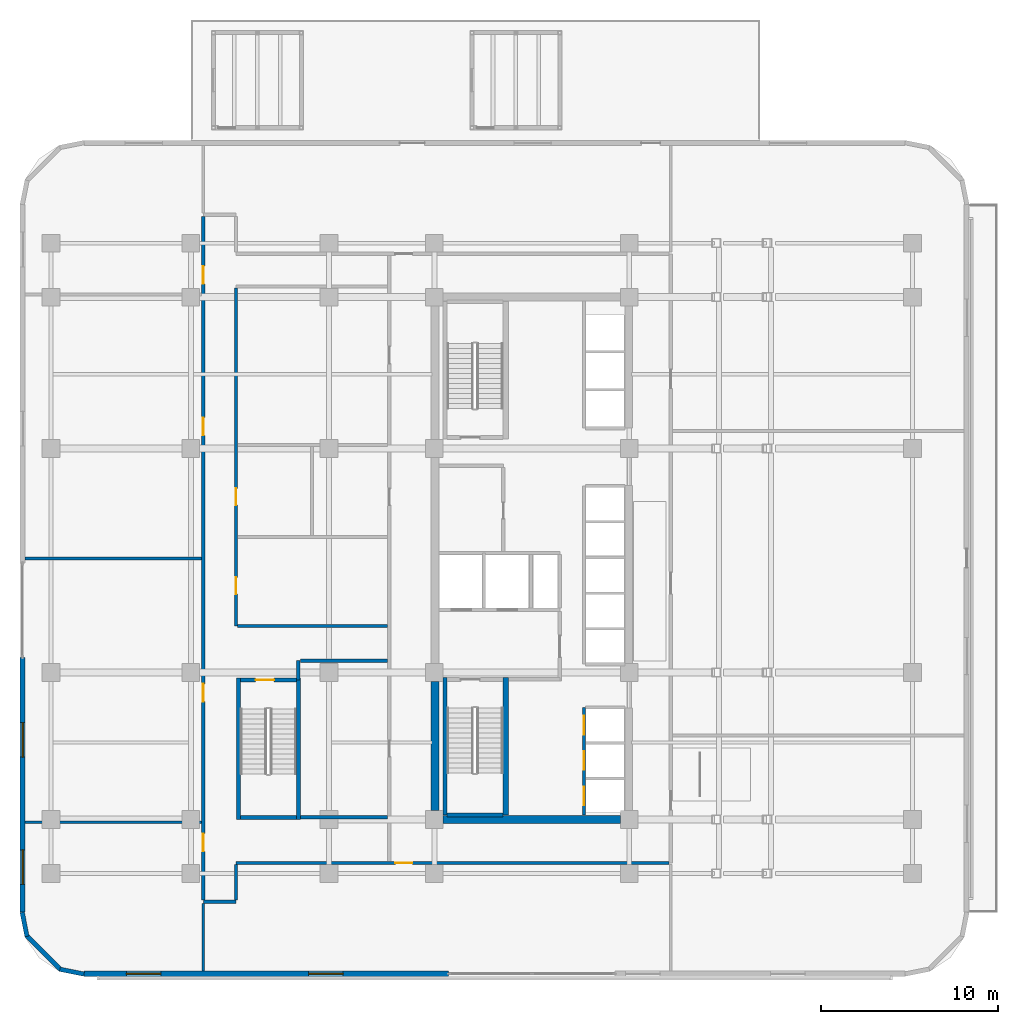
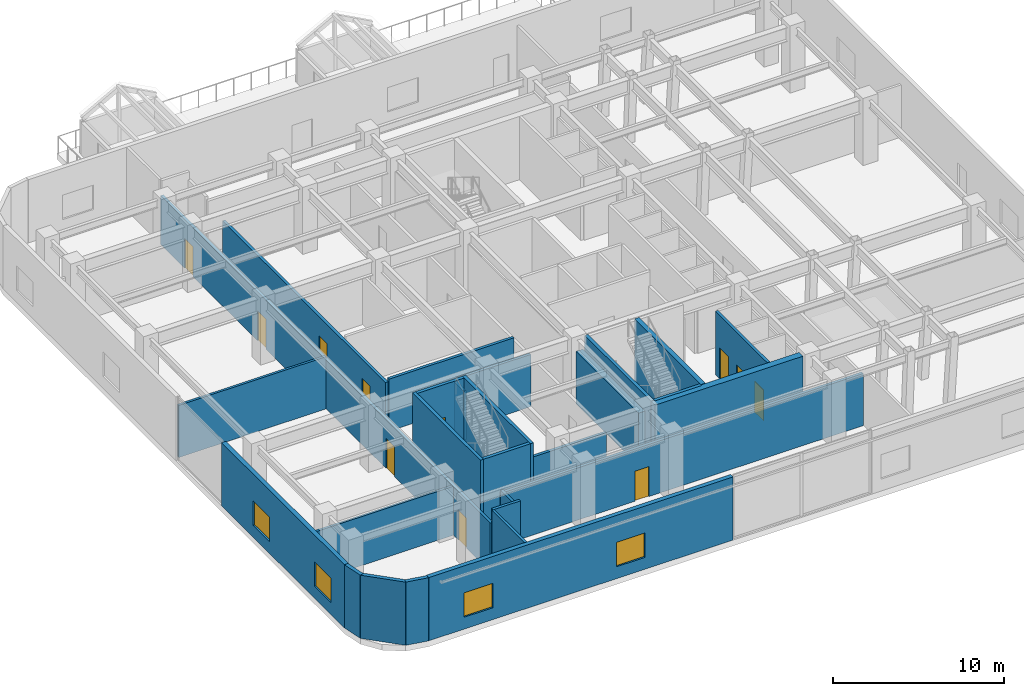
# One storey, part 8 of 18: 27 walls, 11 doors, 4 windows, 15 openings.
"""IFC4 building model written with IfcOpenShell, lengths in metres."""

from ifc_helpers import new_model, si_unit, direction, frame, frame_2d, origin, place, context, subcontext, project, spatial, rectangle, extrude, material, layer, layer_set, type_object, element, fill, save


model = new_model("IFC4")

# Units and contexts
model_context = context("Model", 3, precision=1e-05, world=origin(), true_north=direction((0.0, 1.0)))
body_context = subcontext(model_context, "Body", "Model", "MODEL_VIEW")
ifc_project = project(units=[si_unit("LENGTHUNIT", "METRE"), si_unit("AREAUNIT", "SQUARE_METRE"), si_unit("VOLUMEUNIT", "CUBIC_METRE"), si_unit("PLANEANGLEUNIT", "RADIAN"), si_unit("MASSUNIT", "GRAM", prefix="KILO")], contexts=[model_context])

# Site, building, storey
site_placement = place(None, origin())
site = spatial("IfcSite", under=ifc_project, at=site_placement, CompositionType="ELEMENT")
building_placement = place(site_placement, origin())
building = spatial("IfcBuilding", under=site, at=building_placement, Name="Ochreholt Gables", CompositionType="ELEMENT")
storey_placement = place(building_placement, frame((0.0, 0.0, 4.800048828125)))
storey = spatial("IfcBuildingStorey", under=building, at=storey_placement, Name="L01", CompositionType="ELEMENT", Elevation=4.800048828125)

# Walls
ifc_material_1 = material(Name="Concrete 60 MPa", Category="concrete")
ifc_layer_1 = layer(ifc_material_1, 0.449951171875, Name="Concrete 60 MPa")
ifc_layer_set_1 = layer_set([ifc_layer_1], Name="Concrete 60 MPa")
wall_type_1 = type_object("IfcWallType", Name="WALL-CSW-450", PredefinedType="SHEAR", material=ifc_layer_set_1)
wall_1_placement = place(storey_placement, frame((24.22509765625, 9.75, 0.0), z_axis=(0.0, 0.0, 1.0), x_axis=(0.0, 1.0, 0.0)))
element("IfcWall", 1, at=wall_1_placement, inside=storey, type_object=wall_type_1, Name="L01 Core West Shear Wall WS", PredefinedType="SHEAR", context=body_context, shape_type="SweptSolid", body=[
    extrude(rectangle(XDim=7.300048828125, YDim=0.449951171875, at=frame_2d((3.64990234375, 0.0))), origin(), (0.0, 0.0, 1.0), 3.75),
])
wall_2_placement = place(storey_placement, frame((24.699951171875, 9.25, 0.0), z_axis=(0.0, 0.0, 1.0), x_axis=(1.0, 0.0, 0.0)))
element("IfcWall", 2, at=wall_2_placement, inside=storey, type_object=wall_type_1, Name="L01 Core South Shear Wall", PredefinedType="SHEAR", context=body_context, shape_type="SweptSolid", body=[
    extrude(rectangle(XDim=10.0, YDim=0.449951171875, at=frame_2d((5.0, 0.0))), origin(), (0.0, 0.0, 1.0), 4.52001953125),
])

# Wall, openings, windows
ifc_material_2 = material(Name="Precast concrete 40 MPa", Category="concrete")
ifc_layer_2 = layer(ifc_material_2, 0.2900390625, Name="Precast concrete 40 MPa")
ifc_layer_set_2 = layer_set([ifc_layer_2], Name="Precast concrete 40 MPa")
wall_type_2 = type_object("IfcWallType", Name="WALL-EXT-290", PredefinedType="SOLIDWALL", material=ifc_layer_set_2)
wall_3_placement = place(storey_placement, frame((4.419921875, 0.544921875, 0.0), z_axis=(0.0, 0.0, 1.0), x_axis=(1.0, 0.0, 0.0)))
wall_3 = element("IfcWall", 3, at=wall_3_placement, inside=storey, type_object=wall_type_2, Name="L01 South Facade Wall 1", PredefinedType="SOLIDWALL", context=body_context, shape_type="SweptSolid", body=[
    extrude(rectangle(XDim=20.580078125, YDim=0.2900390625, at=frame_2d((10.2900390625, 0.0))), origin(), (0.0, 0.0, 1.0), 4.52001953125),
])
opening_1_placement = place(wall_3_placement, frame((2.389892578125, 0.0, 0.85009765625)))
opening_1 = element("IfcOpeningElement", 4, at=opening_1_placement, cuts=wall_3, Name="Opening WN-9", PredefinedType="OPENING", context=body_context, shape_type="SweptSolid", body=[
    extrude(rectangle(XDim=1.949951171875, YDim=1.75, at=frame_2d((0.97509765625, 0.875))), frame((0.0, 0.155029296875, 0.0), z_axis=(0.0, -1.0, 0.0), x_axis=(1.0, 0.0, 0.0)), (0.0, 0.0, 1.0), 0.31005859375),
])
opening_2_placement = place(wall_3_placement, frame((12.679931640625, 0.0, 0.85009765625)))
opening_2 = element("IfcOpeningElement", 5, at=opening_2_placement, cuts=wall_3, Name="Opening WN-9", PredefinedType="OPENING", context=body_context, shape_type="SweptSolid", body=[
    extrude(rectangle(XDim=1.949951171875, YDim=1.75, at=frame_2d((0.97509765625, 0.875))), frame((0.0, 0.155029296875, 0.0), z_axis=(0.0, -1.0, 0.0), x_axis=(1.0, 0.0, 0.0)), (0.0, 0.0, 1.0), 0.31005859375),
])
ifc_material_3 = material(Name="Triple-Glazed Thermally Broken Aluminium Window", Category="aluminium")
window_type = type_object("IfcWindowType", Name="WIN-CLN-1950", PartitioningType="SINGLE_PANEL", PredefinedType="WINDOW", material=ifc_material_3)
window_1_placement = place(opening_1_placement, origin())
window_1 = element("IfcWindow", 6, at=window_1_placement, inside=storey, type_object=window_type, Name="L01 Window W-EXT-S1-L01-1", OverallHeight=1.75, OverallWidth=1.949951171875, PartitioningType="SINGLE_PANEL", PredefinedType="WINDOW", context=body_context, shape_type="SweptSolid", body=[
    extrude(rectangle(XDim=1.949951171875, YDim=1.75, at=frame_2d((0.97509765625, 0.875))), frame((0.0, 0.030029296875, 0.0), z_axis=(0.0, -1.0, 0.0), x_axis=(1.0, 0.0, 0.0)), (0.0, 0.0, 1.0), 0.06005859375),
])
fill(opening_1, window_1)
window_2_placement = place(opening_2_placement, origin())
window_2 = element("IfcWindow", 7, at=window_2_placement, inside=storey, type_object=window_type, Name="L01 Window W-EXT-S1-L01-2", OverallHeight=1.75, OverallWidth=1.949951171875, PartitioningType="SINGLE_PANEL", PredefinedType="WINDOW", context=body_context, shape_type="SweptSolid", body=[
    extrude(rectangle(XDim=1.949951171875, YDim=1.75, at=frame_2d((0.97509765625, 0.875))), frame((0.0, 0.030029296875, 0.0), z_axis=(0.0, -1.0, 0.0), x_axis=(1.0, 0.0, 0.0)), (0.0, 0.0, 1.0), 0.06005859375),
])
fill(opening_2, window_2)

wall_4_placement = place(storey_placement, frame((0.945068359375, 18.39990234375, 0.0), z_axis=(0.0, 0.0, 1.0), x_axis=(0.0, -1.0, 0.0)))
wall_4 = element("IfcWall", 8, at=wall_4_placement, inside=storey, type_object=wall_type_2, Name="L01 West Facade Wall 2", PredefinedType="SOLIDWALL", context=body_context, shape_type="SweptSolid", body=[
    extrude(rectangle(XDim=14.3798828125, YDim=0.2900390625, at=frame_2d((7.18994140625, 0.0))), origin(), (0.0, 0.0, 1.0), 4.52001953125),
])
opening_3_placement = place(wall_4_placement, frame((10.864990234375, 0.0, 0.85009765625)))
opening_3 = element("IfcOpeningElement", 9, at=opening_3_placement, cuts=wall_4, Name="Opening WN-9", PredefinedType="OPENING", context=body_context, shape_type="SweptSolid", body=[
    extrude(rectangle(XDim=1.949951171875, YDim=1.75, at=frame_2d((0.97509765625, 0.875))), frame((0.0, 0.155029296875, 0.0), z_axis=(0.0, -1.0, 0.0), x_axis=(1.0, 0.0, 0.0)), (0.0, 0.0, 1.0), 0.31005859375),
])
opening_4_placement = place(wall_4_placement, frame((3.675048828125, 0.0, 0.85009765625)))
opening_4 = element("IfcOpeningElement", 10, at=opening_4_placement, cuts=wall_4, Name="Opening WN-9", PredefinedType="OPENING", context=body_context, shape_type="SweptSolid", body=[
    extrude(rectangle(XDim=1.949951171875, YDim=1.75, at=frame_2d((0.97509765625, 0.875))), frame((0.0, 0.155029296875, 0.0), z_axis=(0.0, -1.0, 0.0), x_axis=(1.0, 0.0, 0.0)), (0.0, 0.0, 1.0), 0.31005859375),
])
window_3_placement = place(opening_3_placement, origin())
window_3 = element("IfcWindow", 11, at=window_3_placement, inside=storey, type_object=window_type, Name="L01 Window W-EXT-W2-L01-1", OverallHeight=1.75, OverallWidth=1.949951171875, PartitioningType="SINGLE_PANEL", PredefinedType="WINDOW", context=body_context, shape_type="SweptSolid", body=[
    extrude(rectangle(XDim=1.949951171875, YDim=1.75, at=frame_2d((0.97509765625, 0.875))), frame((0.0, 0.030029296875, 0.0), z_axis=(0.0, -1.0, 0.0), x_axis=(1.0, 0.0, 0.0)), (0.0, 0.0, 1.0), 0.06005859375),
])
fill(opening_3, window_3)
window_4_placement = place(opening_4_placement, origin())
window_4 = element("IfcWindow", 12, at=window_4_placement, inside=storey, type_object=window_type, Name="L01 Window W-EXT-W2-L01-2", OverallHeight=1.75, OverallWidth=1.949951171875, PartitioningType="SINGLE_PANEL", PredefinedType="WINDOW", context=body_context, shape_type="SweptSolid", body=[
    extrude(rectangle(XDim=1.949951171875, YDim=1.75, at=frame_2d((0.97509765625, 0.875))), frame((0.0, 0.030029296875, 0.0), z_axis=(0.0, -1.0, 0.0), x_axis=(1.0, 0.0, 0.0)), (0.0, 0.0, 1.0), 0.06005859375),
])
fill(opening_4, window_4)

# Walls
ifc_layer_3 = layer(ifc_material_2, 0.25, Name="Precast concrete 40 MPa")
ifc_layer_set_3 = layer_set([ifc_layer_3], Name="Precast concrete 40 MPa")
wall_type_3 = type_object("IfcWallType", Name="WALL-EXT-CNR", PredefinedType="SOLIDWALL", material=ifc_layer_set_3)
wall_5_placement = place(storey_placement, frame((0.92431640625, 4.0166015625, 0.0), z_axis=(0.0, 0.0, 1.0), x_axis=(0.19496651342, -0.980809899341, 0.0)))
element("IfcWall", 13, at=wall_5_placement, inside=storey, type_object=wall_type_3, Name="L01 Rounded Corner Wall SW-1", PredefinedType="SOLIDWALL", context=body_context, shape_type="SweptSolid", body=[
    extrude(rectangle(XDim=1.388671875, YDim=0.25, at=frame_2d((0.6943359375, 0.0))), origin(), (0.0, 0.0, 1.0), 4.52001953125),
])
wall_6_placement = place(storey_placement, frame((1.16796875, 2.705078125, 0.0), z_axis=(0.0, 0.0, 1.0), x_axis=(0.707106781187, -0.707106781187, 0.0)))
element("IfcWall", 14, at=wall_6_placement, inside=storey, type_object=wall_type_3, Name="L01 Rounded Corner Wall SW-2", PredefinedType="SOLIDWALL", context=body_context, shape_type="SweptSolid", body=[
    extrude(rectangle(XDim=2.7392578125, YDim=0.25, at=frame_2d((1.36962890625, 0.0))), origin(), (0.0, 0.0, 1.0), 4.52001953125),
])
wall_7_placement = place(storey_placement, frame((3.054443359375, 0.794921875, 0.0), z_axis=(0.0, 0.0, 1.0), x_axis=(0.980809899341, -0.19496651342, 0.0)))
element("IfcWall", 15, at=wall_7_placement, inside=storey, type_object=wall_type_3, Name="L01 Rounded Corner Wall SW-3", PredefinedType="SOLIDWALL", context=body_context, shape_type="SweptSolid", body=[
    extrude(rectangle(XDim=1.388671875, YDim=0.25, at=frame_2d((0.6943359375, 0.0))), origin(), (0.0, 0.0, 1.0), 4.52001953125),
])

# Wall, opening, door
ifc_material_4 = material(Name="Fire-Rated Gypsum Acoustic Partition", Category="gypsum")
ifc_layer_4 = layer(ifc_material_4, 0.18994140625, Name="Fire-Rated Gypsum Acoustic Partition")
ifc_layer_set_4 = layer_set([ifc_layer_4], Name="Fire-Rated Gypsum Acoustic Partition")
wall_type_4 = type_object("IfcWallType", Name="WALL-INT-CR190", PredefinedType="STANDARD", material=ifc_layer_set_4)
wall_8_placement = place(storey_placement, frame((13.0, 6.800048828125, 0.0), z_axis=(0.0, 0.0, 1.0), x_axis=(1.0, 0.0, 0.0)))
wall_8 = element("IfcWall", 16, at=wall_8_placement, inside=storey, type_object=wall_type_4, Name="L01 Interior Wall WI-CLCS-L01", PredefinedType="STANDARD", context=body_context, shape_type="SweptSolid", body=[
    extrude(rectangle(XDim=24.455078125, YDim=0.18994140625, at=frame_2d((12.2275390625, 0.0))), origin(), (0.0, 0.0, 1.0), 3.73193359375),
])
opening_5_placement = place(wall_8_placement, frame((9.0, 0.0, 0.0)))
opening_5 = element("IfcOpeningElement", 17, at=opening_5_placement, cuts=wall_8, Name="Opening D-GN1", PredefinedType="OPENING", context=body_context, shape_type="SweptSolid", body=[
    extrude(rectangle(XDim=0.949951171875, YDim=2.14990234375, at=frame_2d((0.47509765625, 1.074951171875))), frame((0.0, 0.10498046875, 0.0), z_axis=(0.0, -1.0, 0.0), x_axis=(1.0, 0.0, 0.0)), (0.0, 0.0, 1.0), 0.2099609375),
])
ifc_material_5 = material(Name="Engineered Oak Timber", Category="wood")
door_type_1 = type_object("IfcDoorType", Name="DR-INT-GEN950", OperationType="NOTDEFINED", PredefinedType="DOOR", material=ifc_material_5)
door_1_placement = place(opening_5_placement, origin())
door_1 = element("IfcDoor", 18, at=door_1_placement, inside=storey, type_object=door_type_1, Name="L01 Door D-CLCS-L01", OperationType="SINGLE_SWING_LEFT", OverallHeight=2.14990234375, OverallWidth=0.949951171875, PredefinedType="DOOR", context=body_context, shape_type="SweptSolid", body=[
    extrude(rectangle(XDim=0.949951171875, YDim=2.14990234375, at=frame_2d((0.47509765625, 1.074951171875))), frame((0.0, 0.02490234375, 0.0), z_axis=(0.0, -1.0, 0.0), x_axis=(1.0, 0.0, 0.0)), (0.0, 0.0, 1.0), 0.050048828125),
])
fill(opening_5, door_1)

# Walls
wall_9_placement = place(storey_placement, frame((11.14990234375, 4.60009765625, 0.0), z_axis=(0.0, 0.0, 1.0), x_axis=(1.0, 0.0, 0.0)))
element("IfcWall", 19, at=wall_9_placement, inside=storey, type_object=wall_type_4, Name="L01 Interior Wall WI-CLCS0-L01", PredefinedType="STANDARD", context=body_context, shape_type="SweptSolid", body=[
    extrude(rectangle(XDim=1.85009765625, YDim=0.18994140625, at=frame_2d((0.925048828125, 0.0))), origin(), (0.0, 0.0, 1.0), 4.52001953125),
])
wall_10_placement = place(storey_placement, frame((13.0, 4.695068359375, 0.0), z_axis=(0.0, 0.0, 1.0), x_axis=(0.0, 1.0, 0.0)))
element("IfcWall", 20, at=wall_10_placement, inside=storey, type_object=wall_type_4, Name="L01 Interior Wall WI-CLCS1-L01", PredefinedType="STANDARD", context=body_context, shape_type="SweptSolid", body=[
    extrude(rectangle(XDim=2.010009765625, YDim=0.18994140625, at=frame_2d((1.0048828125, 0.0))), origin(), (0.0, 0.0, 1.0), 3.968994140625),
])
wall_11_placement = place(storey_placement, frame((16.6298828125, 9.3701171875, 0.0), z_axis=(0.0, 0.0, 1.0), x_axis=(1.0, 0.0, 0.0)))
element("IfcWall", 21, at=wall_11_placement, inside=storey, type_object=wall_type_4, Name="L01 Interior Wall WI-CLCS2-L01", PredefinedType="STANDARD", context=body_context, shape_type="SweptSolid", body=[
    extrude(rectangle(XDim=4.925048828125, YDim=0.18994140625, at=frame_2d((2.46240234375, 0.0))), origin(), (0.0, 0.0, 1.0), 3.501953125),
])

# Wall, openings, doors
wall_12_placement = place(storey_placement, frame((11.14990234375, 4.695068359375, 0.0), z_axis=(0.0, 0.0, 1.0), x_axis=(0.0, 1.0, 0.0)))
wall_12 = element("IfcWall", 22, at=wall_12_placement, inside=storey, type_object=wall_type_4, Name="L01 Interior Wall WI-CLCWW-L01", PredefinedType="STANDARD", context=body_context, shape_type="SweptSolid", body=[
    extrude(rectangle(XDim=38.60986328125, YDim=0.18994140625, at=frame_2d((19.304931640625, 0.0))), origin(), (0.0, 0.0, 1.0), 3.501953125),
])
opening_6_placement = place(wall_12_placement, frame((2.7548828125, 0.0, 0.0)))
opening_6 = element("IfcOpeningElement", 23, at=opening_6_placement, cuts=wall_12, Name="Opening D-CL3", PredefinedType="OPENING", context=body_context, shape_type="SweptSolid", body=[
    extrude(rectangle(XDim=1.0, YDim=2.14990234375, at=frame_2d((0.5, 1.074951171875))), frame((0.0, 0.10498046875, 0.0), z_axis=(0.0, -1.0, 0.0), x_axis=(1.0, 0.0, 0.0)), (0.0, 0.0, 1.0), 0.2099609375),
])
opening_7_placement = place(wall_12_placement, frame((11.215087890625, 0.0, 0.0)))
opening_7 = element("IfcOpeningElement", 24, at=opening_7_placement, cuts=wall_12, Name="Opening D-CL3", PredefinedType="OPENING", context=body_context, shape_type="SweptSolid", body=[
    extrude(rectangle(XDim=1.0, YDim=2.14990234375, at=frame_2d((0.5, 1.074951171875))), frame((0.0, 0.10498046875, 0.0), z_axis=(0.0, -1.0, 0.0), x_axis=(1.0, 0.0, 0.0)), (0.0, 0.0, 1.0), 0.2099609375),
])
opening_8_placement = place(wall_12_placement, frame((26.2548828125, 0.0, 0.0)))
opening_8 = element("IfcOpeningElement", 25, at=opening_8_placement, cuts=wall_12, Name="Opening D-CL3", PredefinedType="OPENING", context=body_context, shape_type="SweptSolid", body=[
    extrude(rectangle(XDim=1.0, YDim=2.14990234375, at=frame_2d((0.5, 1.074951171875))), frame((0.0, 0.10498046875, 0.0), z_axis=(0.0, -1.0, 0.0), x_axis=(1.0, 0.0, 0.0)), (0.0, 0.0, 1.0), 0.2099609375),
])
opening_9_placement = place(wall_12_placement, frame((34.804931640625, 0.0, 0.0)))
opening_9 = element("IfcOpeningElement", 26, at=opening_9_placement, cuts=wall_12, Name="Opening D-CL3", PredefinedType="OPENING", context=body_context, shape_type="SweptSolid", body=[
    extrude(rectangle(XDim=1.0, YDim=2.14990234375, at=frame_2d((0.5, 1.074951171875))), frame((0.0, 0.10498046875, 0.0), z_axis=(0.0, -1.0, 0.0), x_axis=(1.0, 0.0, 0.0)), (0.0, 0.0, 1.0), 0.2099609375),
])
door_type_2 = type_object("IfcDoorType", Name="DR-INT-CLN1000", OperationType="NOTDEFINED", PredefinedType="DOOR", material=ifc_material_5)
door_2_placement = place(opening_6_placement, origin())
door_2 = element("IfcDoor", 27, at=door_2_placement, inside=storey, type_object=door_type_2, Name="L01 Door D-CLW1-L01", OperationType="SINGLE_SWING_LEFT", OverallHeight=2.14990234375, OverallWidth=1.0, PredefinedType="DOOR", context=body_context, shape_type="SweptSolid", body=[
    extrude(rectangle(XDim=1.0, YDim=2.14990234375, at=frame_2d((0.5, 1.074951171875))), frame((0.0, 0.02490234375, 0.0), z_axis=(0.0, -1.0, 0.0), x_axis=(1.0, 0.0, 0.0)), (0.0, 0.0, 1.0), 0.050048828125),
])
fill(opening_6, door_2)
door_3_placement = place(opening_7_placement, origin())
door_3 = element("IfcDoor", 28, at=door_3_placement, inside=storey, type_object=door_type_2, Name="L01 Door D-CLW2-L01", OperationType="SINGLE_SWING_RIGHT", OverallHeight=2.14990234375, OverallWidth=1.0, PredefinedType="DOOR", context=body_context, shape_type="SweptSolid", body=[
    extrude(rectangle(XDim=1.0, YDim=2.14990234375, at=frame_2d((0.5, 1.074951171875))), frame((0.0, 0.02490234375, 0.0), z_axis=(0.0, -1.0, 0.0), x_axis=(1.0, 0.0, 0.0)), (0.0, 0.0, 1.0), 0.050048828125),
])
fill(opening_7, door_3)
door_4_placement = place(opening_8_placement, origin())
door_4 = element("IfcDoor", 29, at=door_4_placement, inside=storey, type_object=door_type_2, Name="L01 Door D-CLW3-L01", OperationType="SINGLE_SWING_LEFT", OverallHeight=2.14990234375, OverallWidth=1.0, PredefinedType="DOOR", context=body_context, shape_type="SweptSolid", body=[
    extrude(rectangle(XDim=1.0, YDim=2.14990234375, at=frame_2d((0.5, 1.074951171875))), frame((0.0, 0.02490234375, 0.0), z_axis=(0.0, -1.0, 0.0), x_axis=(1.0, 0.0, 0.0)), (0.0, 0.0, 1.0), 0.050048828125),
])
fill(opening_8, door_4)
door_5_placement = place(opening_9_placement, origin())
door_5 = element("IfcDoor", 30, at=door_5_placement, inside=storey, type_object=door_type_2, Name="L01 Door D-CLW4-L01", OperationType="SINGLE_SWING_RIGHT", OverallHeight=2.14990234375, OverallWidth=1.0, PredefinedType="DOOR", context=body_context, shape_type="SweptSolid", body=[
    extrude(rectangle(XDim=1.0, YDim=2.14990234375, at=frame_2d((0.5, 1.074951171875))), frame((0.0, 0.02490234375, 0.0), z_axis=(0.0, -1.0, 0.0), x_axis=(1.0, 0.0, 0.0)), (0.0, 0.0, 1.0), 0.050048828125),
])
fill(opening_9, door_5)

wall_13_placement = place(storey_placement, frame((13.0, 20.179931640625, 0.0), z_axis=(0.0, 0.0, 1.0), x_axis=(0.0, 1.0, 0.0)))
wall_13 = element("IfcWall", 31, at=wall_13_placement, inside=storey, type_object=wall_type_4, Name="L01 Interior Wall WI-CLCWE-L01", PredefinedType="STANDARD", context=body_context, shape_type="SweptSolid", body=[
    extrude(rectangle(XDim=19.074951171875, YDim=0.18994140625, at=frame_2d((9.53759765625, 0.0))), origin(), (0.0, 0.0, 1.0), 3.501953125),
])
opening_10_placement = place(wall_13_placement, frame((1.800048828125, 0.0, 0.0)))
opening_10 = element("IfcOpeningElement", 32, at=opening_10_placement, cuts=wall_13, Name="Opening D-GN1", PredefinedType="OPENING", context=body_context, shape_type="SweptSolid", body=[
    extrude(rectangle(XDim=0.949951171875, YDim=2.14990234375, at=frame_2d((0.47509765625, 1.074951171875))), frame((0.0, 0.10498046875, 0.0), z_axis=(0.0, -1.0, 0.0), x_axis=(1.0, 0.0, 0.0)), (0.0, 0.0, 1.0), 0.2099609375),
])
opening_11_placement = place(wall_13_placement, frame((6.820068359375, 0.0, 0.0)))
opening_11 = element("IfcOpeningElement", 33, at=opening_11_placement, cuts=wall_13, Name="Opening D-WC2", PredefinedType="OPENING", context=body_context, shape_type="SweptSolid", body=[
    extrude(rectangle(XDim=0.949951171875, YDim=2.139892578125, at=frame_2d((0.47509765625, 1.06982421875))), frame((0.0, 0.10498046875, 0.0), z_axis=(0.0, -1.0, 0.0), x_axis=(1.0, 0.0, 0.0)), (0.0, 0.0, 1.0), 0.2099609375),
])
door_6_placement = place(opening_10_placement, origin())
door_6 = element("IfcDoor", 34, at=door_6_placement, inside=storey, type_object=door_type_1, Name="L01 Door D-CLMN1-L01", OperationType="SINGLE_SWING_LEFT", OverallHeight=2.14990234375, OverallWidth=0.949951171875, PredefinedType="DOOR", context=body_context, shape_type="SweptSolid", body=[
    extrude(rectangle(XDim=0.949951171875, YDim=2.14990234375, at=frame_2d((0.47509765625, 1.074951171875))), frame((0.0, 0.02490234375, 0.0), z_axis=(0.0, -1.0, 0.0), x_axis=(1.0, 0.0, 0.0)), (0.0, 0.0, 1.0), 0.050048828125),
])
fill(opening_10, door_6)
door_type_3 = type_object("IfcDoorType", Name="DR-INT-WC950", OperationType="NOTDEFINED", PredefinedType="DOOR", material=ifc_material_5)
door_7_placement = place(opening_11_placement, origin())
door_7 = element("IfcDoor", 35, at=door_7_placement, inside=storey, type_object=door_type_3, Name="L01 Door D-CLMWC1-L01", OperationType="SINGLE_SWING_RIGHT", OverallHeight=2.139892578125, OverallWidth=0.949951171875, PredefinedType="DOOR", context=body_context, shape_type="SweptSolid", body=[
    extrude(rectangle(XDim=0.949951171875, YDim=2.139892578125, at=frame_2d((0.47509765625, 1.06982421875))), frame((0.0, 0.02490234375, 0.0), z_axis=(0.0, -1.0, 0.0), x_axis=(1.0, 0.0, 0.0)), (0.0, 0.0, 1.0), 0.050048828125),
])
fill(opening_11, door_7)

# Walls
wall_14_placement = place(storey_placement, frame((16.6298828125, 18.219970703125, 0.0), z_axis=(0.0, 0.0, 1.0), x_axis=(1.0, 0.0, 0.0)))
element("IfcWall", 36, at=wall_14_placement, inside=storey, type_object=wall_type_4, Name="L01 Interior Wall WI-CLSTP-L01", PredefinedType="STANDARD", context=body_context, shape_type="SweptSolid", body=[
    extrude(rectangle(XDim=4.925048828125, YDim=0.18994140625, at=frame_2d((2.46240234375, 0.0))), origin(), (0.0, 0.0, 1.0), 3.73193359375),
])
wall_15_placement = place(storey_placement, frame((16.52001953125, 17.1298828125, 0.0), z_axis=(0.0, 0.0, 1.0), x_axis=(0.0, 1.0, 0.0)))
element("IfcWall", 37, at=wall_15_placement, inside=storey, type_object=wall_type_4, Name="L01 Interior Wall WI-CLSTPE-L01", PredefinedType="STANDARD", context=body_context, shape_type="SweptSolid", body=[
    extrude(rectangle(XDim=1.090087890625, YDim=0.18994140625, at=frame_2d((0.544921875, 0.0))), origin(), (0.0, 0.0, 1.0), 3.501953125),
])
wall_16_placement = place(storey_placement, frame((13.094970703125, 20.179931640625, 0.0), z_axis=(0.0, 0.0, 1.0), x_axis=(1.0, 0.0, 0.0)))
element("IfcWall", 38, at=wall_16_placement, inside=storey, type_object=wall_type_4, Name="L01 Interior Wall WI-CLSTP2-L01", PredefinedType="STANDARD", context=body_context, shape_type="SweptSolid", body=[
    extrude(rectangle(XDim=8.4599609375, YDim=0.18994140625, at=frame_2d((4.22998046875, 0.0))), origin(), (0.0, 0.0, 1.0), 3.73193359375),
])
ifc_material_6 = material(Name="Gypsum Acoustic Stud Partition", Category="gypsum")
ifc_layer_5 = layer(ifc_material_6, 0.159912109375, Name="Gypsum Acoustic Stud Partition")
ifc_layer_set_5 = layer_set([ifc_layer_5], Name="Gypsum Acoustic Stud Partition")
wall_type_5 = type_object("IfcWallType", Name="WALL-INT-PT160", PredefinedType="PARTITIONING", material=ifc_layer_set_5)
wall_17_placement = place(storey_placement, frame((11.14990234375, 0.68994140625, 0.0), z_axis=(0.0, 0.0, 1.0), x_axis=(0.0, 1.0, 0.0)))
element("IfcWall", 39, at=wall_17_placement, inside=storey, type_object=wall_type_5, Name="L01 Interior Wall WI-CLWWS-L01", PredefinedType="PARTITIONING", context=body_context, shape_type="SweptSolid", body=[
    extrude(rectangle(XDim=3.81494140625, YDim=0.159912109375, at=frame_2d((1.907470703125, 0.0))), origin(), (0.0, 0.0, 1.0), 4.52001953125),
])
wall_18_placement = place(storey_placement, frame((1.090087890625, 9.10009765625, 0.0), z_axis=(0.0, 0.0, 1.0), x_axis=(1.0, 0.0, 0.0)))
element("IfcWall", 40, at=wall_18_placement, inside=storey, type_object=wall_type_5, Name="L01 Interior Wall WI-CLW1-L01", PredefinedType="PARTITIONING", context=body_context, shape_type="SweptSolid", body=[
    extrude(rectangle(XDim=9.96484375, YDim=0.159912109375, at=frame_2d((4.982421875, 0.0))), origin(), (0.0, 0.0, 1.0), 3.501953125),
])
wall_19_placement = place(storey_placement, frame((1.090087890625, 24.0, 0.0), z_axis=(0.0, 0.0, 1.0), x_axis=(1.0, 0.0, 0.0)))
element("IfcWall", 41, at=wall_19_placement, inside=storey, type_object=wall_type_5, Name="L01 Interior Wall WI-CLW2-L01", PredefinedType="PARTITIONING", context=body_context, shape_type="SweptSolid", body=[
    extrude(rectangle(XDim=9.96484375, YDim=0.159912109375, at=frame_2d((4.982421875, 0.0))), origin(), (0.0, 0.0, 1.0), 3.73193359375),
])

# Wall, openings, doors
ifc_material_7 = material(Name="Gypsum Shaftliner and Steel Stud", Category="steel")
ifc_layer_6 = layer(ifc_material_7, 0.179931640625, Name="Gypsum Shaftliner and Steel Stud")
ifc_layer_set_6 = layer_set([ifc_layer_6], Name="Gypsum Shaftliner and Steel Stud")
wall_type_6 = type_object("IfcWallType", Name="WALL-INT-SH180", PredefinedType="STANDARD", material=ifc_layer_set_6)
wall_20_placement = place(storey_placement, frame((32.64990234375, 9.5, 0.0), z_axis=(0.0, 0.0, 1.0), x_axis=(0.0, 1.0, 0.0)))
wall_20 = element("IfcWall", 42, at=wall_20_placement, inside=storey, type_object=wall_type_6, Name="L01 Interior Wall WI-LFL-FR-L01", PredefinedType="STANDARD", context=body_context, shape_type="SweptSolid", body=[
    extrude(rectangle(XDim=6.080078125, YDim=0.179931640625, at=frame_2d((3.0400390625, 0.0))), origin(), (0.0, 0.0, 1.0), 4.52001953125),
])
opening_12_placement = place(wall_20_placement, frame((0.550048828125, 0.0, 0.0)))
opening_12 = element("IfcOpeningElement", 43, at=opening_12_placement, cuts=wall_20, Name="Opening LD-PX", PredefinedType="OPENING", context=body_context, shape_type="SweptSolid", body=[
    extrude(rectangle(XDim=1.050048828125, YDim=2.199951171875, at=frame_2d((0.52490234375, 1.10009765625))), frame((0.0, 0.099853515625, 0.0), z_axis=(0.0, -1.0, 0.0), x_axis=(1.0, 0.0, 0.0)), (0.0, 0.0, 1.0), 0.199951171875),
])
opening_13_placement = place(wall_20_placement, frame((2.550048828125, 0.0, 0.0)))
opening_13 = element("IfcOpeningElement", 44, at=opening_13_placement, cuts=wall_20, Name="Opening LD-PX", PredefinedType="OPENING", context=body_context, shape_type="SweptSolid", body=[
    extrude(rectangle(XDim=1.050048828125, YDim=2.199951171875, at=frame_2d((0.52490234375, 1.10009765625))), frame((0.0, 0.099853515625, 0.0), z_axis=(0.0, -1.0, 0.0), x_axis=(1.0, 0.0, 0.0)), (0.0, 0.0, 1.0), 0.199951171875),
])
opening_14_placement = place(wall_20_placement, frame((4.550048828125, 0.0, 0.0)))
opening_14 = element("IfcOpeningElement", 45, at=opening_14_placement, cuts=wall_20, Name="Opening LD-PX", PredefinedType="OPENING", context=body_context, shape_type="SweptSolid", body=[
    extrude(rectangle(XDim=1.050048828125, YDim=2.199951171875, at=frame_2d((0.52490234375, 1.10009765625))), frame((0.0, 0.099853515625, 0.0), z_axis=(0.0, -1.0, 0.0), x_axis=(1.0, 0.0, 0.0)), (0.0, 0.0, 1.0), 0.199951171875),
])
ifc_material_8 = material(Name="Stainless Steel", Category="steel")
door_type_4 = type_object("IfcDoorType", Name="DR-LFT-PX1050", OperationType="NOTDEFINED", PredefinedType="DOOR", material=ifc_material_8)
door_8_placement = place(opening_12_placement, origin())
door_8 = element("IfcDoor", 46, at=door_8_placement, inside=storey, type_object=door_type_4, Name="L01 Door LD-L1-L01", OperationType="SLIDING_TO_LEFT", OverallHeight=2.199951171875, OverallWidth=1.050048828125, PredefinedType="DOOR", context=body_context, shape_type="SweptSolid", body=[
    extrude(rectangle(XDim=1.050048828125, YDim=2.199951171875, at=frame_2d((0.52490234375, 1.10009765625))), frame((0.0, 0.02490234375, 0.0), z_axis=(0.0, -1.0, 0.0), x_axis=(1.0, 0.0, 0.0)), (0.0, 0.0, 1.0), 0.050048828125),
])
fill(opening_12, door_8)
door_9_placement = place(opening_13_placement, origin())
door_9 = element("IfcDoor", 47, at=door_9_placement, inside=storey, type_object=door_type_4, Name="L01 Door LD-L2-L01", OperationType="SLIDING_TO_LEFT", OverallHeight=2.199951171875, OverallWidth=1.050048828125, PredefinedType="DOOR", context=body_context, shape_type="SweptSolid", body=[
    extrude(rectangle(XDim=1.050048828125, YDim=2.199951171875, at=frame_2d((0.52490234375, 1.10009765625))), frame((0.0, 0.02490234375, 0.0), z_axis=(0.0, -1.0, 0.0), x_axis=(1.0, 0.0, 0.0)), (0.0, 0.0, 1.0), 0.050048828125),
])
fill(opening_13, door_9)
door_10_placement = place(opening_14_placement, origin())
door_10 = element("IfcDoor", 48, at=door_10_placement, inside=storey, type_object=door_type_4, Name="L01 Door LD-L3-L01", OperationType="SLIDING_TO_LEFT", OverallHeight=2.199951171875, OverallWidth=1.050048828125, PredefinedType="DOOR", context=body_context, shape_type="SweptSolid", body=[
    extrude(rectangle(XDim=1.050048828125, YDim=2.199951171875, at=frame_2d((0.52490234375, 1.10009765625))), frame((0.0, 0.02490234375, 0.0), z_axis=(0.0, -1.0, 0.0), x_axis=(1.0, 0.0, 0.0)), (0.0, 0.0, 1.0), 0.050048828125),
])
fill(opening_14, door_10)

# Walls
ifc_layer_7 = layer(ifc_material_1, 0.300048828125, Name="Concrete 60 MPa")
ifc_layer_set_7 = layer_set([ifc_layer_7], Name="Concrete 60 MPa")
wall_type_7 = type_object("IfcWallType", Name="WALL-SPN-300", PredefinedType="SHEAR", material=ifc_layer_set_7)
wall_21_placement = place(storey_placement, frame((28.22998046875, 9.5, 0.0), z_axis=(0.0, 0.0, 1.0), x_axis=(0.0, 1.0, 0.0)))
element("IfcWall", 49, at=wall_21_placement, inside=storey, type_object=wall_type_7, Name="L01 Core South Spine Shear Wall", PredefinedType="SHEAR", context=body_context, shape_type="SweptSolid", body=[
    extrude(rectangle(XDim=7.760009765625, YDim=0.300048828125, at=frame_2d((3.8798828125, 0.0))), origin(), (0.0, 0.0, 1.0), 4.52001953125),
])
ifc_material_9 = material(Name="Concrete 50 MPa", Category="concrete")
ifc_layer_8 = layer(ifc_material_9, 0.219970703125, Name="Concrete 50 MPa")
ifc_layer_set_8 = layer_set([ifc_layer_8], Name="Concrete 50 MPa")
wall_type_8 = type_object("IfcWallType", Name="WALL-STW-220", PredefinedType="SHEAR", material=ifc_layer_set_8)
wall_22_placement = place(storey_placement, frame((24.81005859375, 9.5, 0.0), z_axis=(0.0, 0.0, 1.0), x_axis=(0.0, 1.0, 0.0)))
element("IfcWall", 50, at=wall_22_placement, inside=storey, type_object=wall_type_8, Name="L01 Exit Stair 1 West Wall", PredefinedType="SHEAR", context=body_context, shape_type="SweptSolid", body=[
    extrude(rectangle(XDim=7.760009765625, YDim=0.219970703125, at=frame_2d((3.8798828125, 0.0))), origin(), (0.0, 0.0, 1.0), 4.52001953125),
])
wall_23_placement = place(storey_placement, frame((24.919921875, 9.510009765625, 0.0), z_axis=(0.0, 0.0, 1.0), x_axis=(1.0, 0.0, 0.0)))
element("IfcWall", 51, at=wall_23_placement, inside=storey, type_object=wall_type_8, Name="L01 Exit Stair 1 South Wall", PredefinedType="SHEAR", context=body_context, shape_type="SweptSolid", body=[
    extrude(rectangle(XDim=3.16015625, YDim=0.219970703125, at=frame_2d((1.580078125, 0.0))), origin(), (0.0, 0.0, 1.0), 4.52001953125),
])
for number, where, z_axis, x_axis, name in (
    (52, (13.139892578125, 9.260009765625, 0.0), (0.0, 0.0, 1.0), (0.0, 1.0, 0.0), "L01 Podium Stair West Wall"),
    (53, (16.52001953125, 9.260009765625, 0.0), (0.0, 0.0, 1.0), (0.0, 1.0, 0.0), "L01 Podium Stair East Wall"),
):
    element("IfcWall", number, at=place(storey_placement, frame(where, z_axis=z_axis, x_axis=x_axis)), inside=storey, type_object=wall_type_8, Name=name, PredefinedType="SHEAR", context=body_context, shape_type="SweptSolid", body=[
        extrude(rectangle(XDim=7.97998046875, YDim=0.219970703125, at=frame_2d((3.989990234375, 0.0))), origin(), (0.0, 0.0, 1.0), 4.52001953125),
    ])
wall_24_placement = place(storey_placement, frame((13.25, 9.3701171875, 0.0), z_axis=(0.0, 0.0, 1.0), x_axis=(1.0, 0.0, 0.0)))
element("IfcWall", 54, at=wall_24_placement, inside=storey, type_object=wall_type_8, Name="L01 Podium Stair South Wall", PredefinedType="SHEAR", context=body_context, shape_type="SweptSolid", body=[
    extrude(rectangle(XDim=3.159912109375, YDim=0.219970703125, at=frame_2d((1.580078125, 0.0))), origin(), (0.0, 0.0, 1.0), 4.52001953125),
])

# Wall, opening, door
wall_25_placement = place(storey_placement, frame((13.25, 17.1298828125, 0.0), z_axis=(0.0, 0.0, 1.0), x_axis=(1.0, 0.0, 0.0)))
wall_25 = element("IfcWall", 55, at=wall_25_placement, inside=storey, type_object=wall_type_8, Name="L01 Podium Stair North Wall", PredefinedType="SHEAR", context=body_context, shape_type="SweptSolid", body=[
    extrude(rectangle(XDim=3.159912109375, YDim=0.219970703125, at=frame_2d((1.580078125, 0.0))), origin(), (0.0, 0.0, 1.0), 4.52001953125),
])
opening_15_placement = place(wall_25_placement, frame((0.85009765625, 0.0, 0.0)))
opening_15 = element("IfcOpeningElement", 56, at=opening_15_placement, cuts=wall_25, Name="Opening D-STC", PredefinedType="OPENING", context=body_context, shape_type="SweptSolid", body=[
    extrude(rectangle(XDim=1.050048828125, YDim=2.14990234375, at=frame_2d((0.52490234375, 1.074951171875))), frame((0.0, 0.119873046875, 0.0), z_axis=(0.0, -1.0, 0.0), x_axis=(1.0, 0.0, 0.0)), (0.0, 0.0, 1.0), 0.239990234375),
])
ifc_material_10 = material(Name="Hollow Metal Steel", Category="steel")
door_type_5 = type_object("IfcDoorType", Name="DR-INT-ST1050", OperationType="NOTDEFINED", PredefinedType="DOOR", material=ifc_material_10)
door_11_placement = place(opening_15_placement, frame((1.050048828125, 0.0, 0.0), z_axis=(0.0, 0.0, 1.0), x_axis=(-1.0, 0.0, 0.0)))
door_11 = element("IfcDoor", 57, at=door_11_placement, inside=storey, type_object=door_type_5, Name="L01 Door D-STP1-L01", OperationType="SINGLE_SWING_LEFT", OverallHeight=2.14990234375, OverallWidth=1.050048828125, PredefinedType="DOOR", context=body_context, shape_type="SweptSolid", body=[
    extrude(rectangle(XDim=1.050048828125, YDim=2.14990234375, at=frame_2d((0.52490234375, 1.074951171875))), frame((0.0, 0.02490234375, 0.0), z_axis=(0.0, -1.0, 0.0), x_axis=(1.0, 0.0, 0.0)), (0.0, 0.0, 1.0), 0.050048828125),
])
fill(opening_15, door_11)

save(model, "model.ifc")
